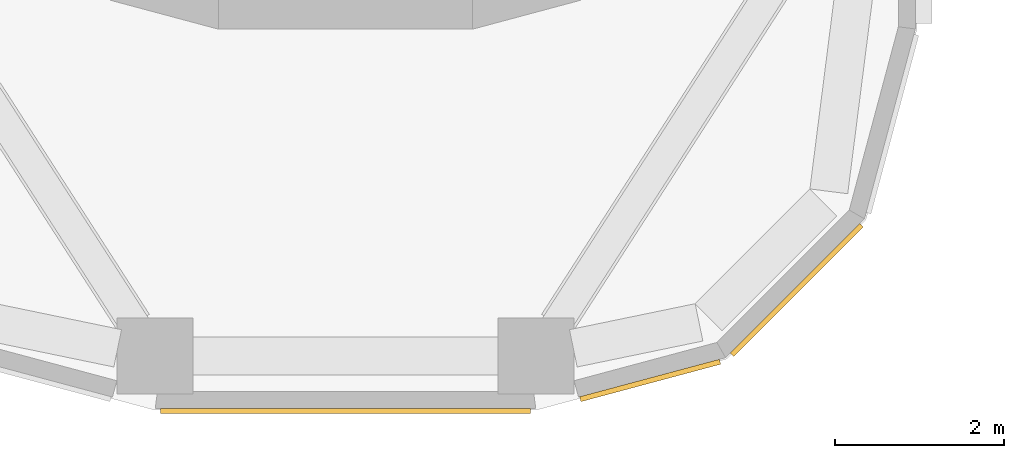
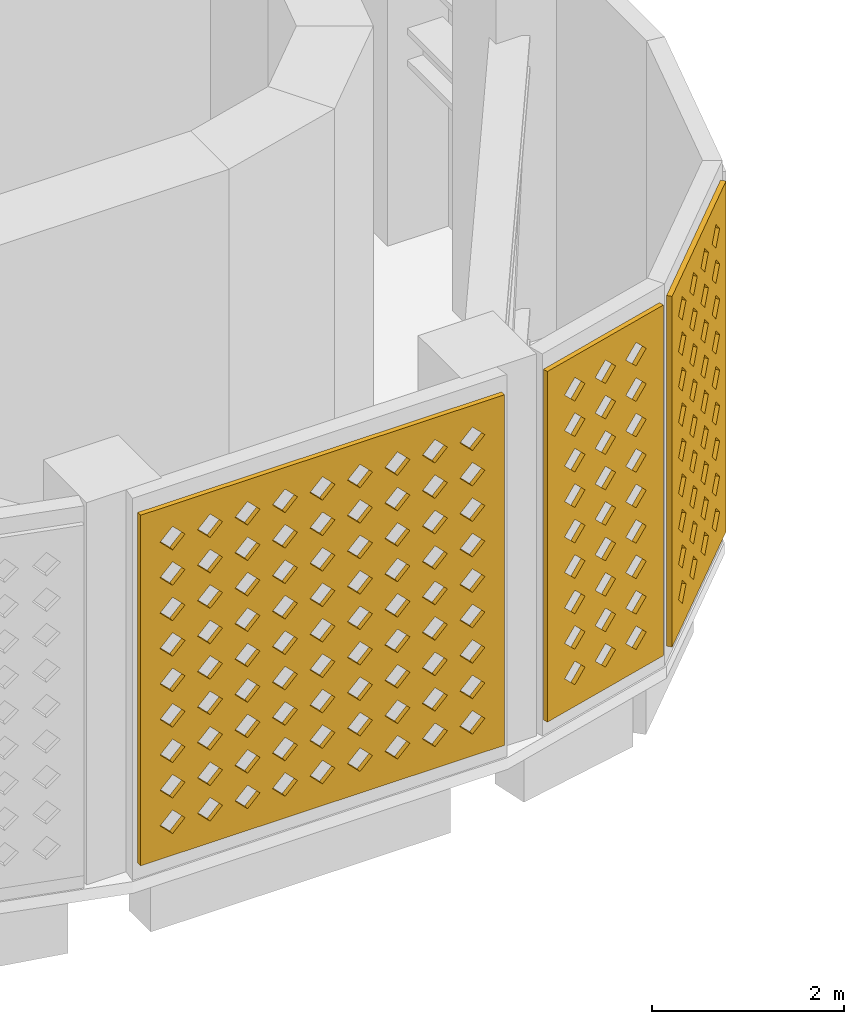
# One storey, part 11 of 20: 3 coverings.
"""IFC4 building model written with IfcOpenShell, lengths in metres."""

from ifc_helpers import new_model, si_unit, direction, frame, origin, place, context, subcontext, project, spatial, polyline, outline, extrude, source, transform, mapped, material, layer, layer_set, type_object, element, save


model = new_model("IFC4")

# Units and contexts
model_context = context("Model", 3, precision=1e-05, world=origin(), true_north=direction((0.0, 1.0)))
body_context = subcontext(model_context, "Body", "Model", "MODEL_VIEW")
ifc_project = project(units=[si_unit("LENGTHUNIT", "METRE"), si_unit("AREAUNIT", "SQUARE_METRE"), si_unit("VOLUMEUNIT", "CUBIC_METRE"), si_unit("PLANEANGLEUNIT", "RADIAN"), si_unit("MASSUNIT", "GRAM", prefix="KILO")], contexts=[model_context])

# Site, building, storey
site_placement = place(None, origin())
site = spatial("IfcSite", under=ifc_project, at=site_placement, CompositionType="ELEMENT")
building_placement = place(site_placement, origin())
building = spatial("IfcBuilding", under=site, at=building_placement, Name="Zarbagh Exchange Tower", CompositionType="ELEMENT")
storey_placement = place(building_placement, frame((0.0, 0.0, 136.0)))
storey = spatial("IfcBuildingStorey", under=building, at=storey_placement, Name="L32", CompositionType="ELEMENT", Elevation=136.0)

# Coverings
ifc_material = material(Name="Glass-fibre reinforced concrete GFRC C50/60", Category="concrete")
ifc_layer = layer(ifc_material, 0.06005859375)
ifc_layer_set = layer_set([ifc_layer], Name="SCREEN jali panel, GFRC")
covering_type = type_object("IfcCoveringType", Name="SCREEN jali panel, GFRC", PredefinedType="CLADDING", material=ifc_layer_set)
shared_shape_1 = source(origin(), body_context, "Body", "SweptSolid", [
    extrude(outline(polyline([(0.0, 0.0), (2.1650390625, 0.0), (2.1650390625, 4.449951171875), (0.0, 4.449951171875), (0.0, 0.0)]), holes=[polyline([(0.257568359375, 0.425048828125), (0.407470703125, 0.27490234375), (0.5576171875, 0.425048828125), (0.407470703125, 0.574951171875), (0.257568359375, 0.425048828125)]), polyline([(0.257568359375, 0.875), (0.407470703125, 0.72509765625), (0.5576171875, 0.875), (0.407470703125, 1.02490234375), (0.257568359375, 0.875)]), polyline([(0.257568359375, 1.324951171875), (0.407470703125, 1.175048828125), (0.5576171875, 1.324951171875), (0.407470703125, 1.47509765625), (0.257568359375, 1.324951171875)]), polyline([(0.257568359375, 1.77490234375), (0.407470703125, 1.625), (0.5576171875, 1.77490234375), (0.407470703125, 1.925048828125), (0.257568359375, 1.77490234375)]), polyline([(0.257568359375, 2.22509765625), (0.407470703125, 2.074951171875), (0.5576171875, 2.22509765625), (0.407470703125, 2.375), (0.257568359375, 2.22509765625)]), polyline([(0.257568359375, 2.675048828125), (0.407470703125, 2.52490234375), (0.5576171875, 2.675048828125), (0.407470703125, 2.824951171875), (0.257568359375, 2.675048828125)]), polyline([(0.257568359375, 3.125), (0.407470703125, 2.97509765625), (0.5576171875, 3.125), (0.407470703125, 3.27490234375), (0.257568359375, 3.125)]), polyline([(0.257568359375, 3.574951171875), (0.407470703125, 3.425048828125), (0.5576171875, 3.574951171875), (0.407470703125, 3.72509765625), (0.257568359375, 3.574951171875)]), polyline([(0.257568359375, 4.02490234375), (0.407470703125, 3.875), (0.5576171875, 4.02490234375), (0.407470703125, 4.175048828125), (0.257568359375, 4.02490234375)]), polyline([(0.70751953125, 0.425048828125), (0.857421875, 0.27490234375), (1.007568359375, 0.425048828125), (0.857421875, 0.574951171875), (0.70751953125, 0.425048828125)]), polyline([(0.70751953125, 0.875), (0.857421875, 0.72509765625), (1.007568359375, 0.875), (0.857421875, 1.02490234375), (0.70751953125, 0.875)]), polyline([(0.70751953125, 1.324951171875), (0.857421875, 1.175048828125), (1.007568359375, 1.324951171875), (0.857421875, 1.47509765625), (0.70751953125, 1.324951171875)]), polyline([(0.70751953125, 1.77490234375), (0.857421875, 1.625), (1.007568359375, 1.77490234375), (0.857421875, 1.925048828125), (0.70751953125, 1.77490234375)]), polyline([(0.70751953125, 2.22509765625), (0.857421875, 2.074951171875), (1.007568359375, 2.22509765625), (0.857421875, 2.375), (0.70751953125, 2.22509765625)]), polyline([(0.70751953125, 2.675048828125), (0.857421875, 2.52490234375), (1.007568359375, 2.675048828125), (0.857421875, 2.824951171875), (0.70751953125, 2.675048828125)]), polyline([(0.70751953125, 3.125), (0.857421875, 2.97509765625), (1.007568359375, 3.125), (0.857421875, 3.27490234375), (0.70751953125, 3.125)]), polyline([(0.70751953125, 3.574951171875), (0.857421875, 3.425048828125), (1.007568359375, 3.574951171875), (0.857421875, 3.72509765625), (0.70751953125, 3.574951171875)]), polyline([(0.70751953125, 4.02490234375), (0.857421875, 3.875), (1.007568359375, 4.02490234375), (0.857421875, 4.175048828125), (0.70751953125, 4.02490234375)]), polyline([(1.157470703125, 0.425048828125), (1.3076171875, 0.27490234375), (1.45751953125, 0.425048828125), (1.3076171875, 0.574951171875), (1.157470703125, 0.425048828125)]), polyline([(1.157470703125, 0.875), (1.3076171875, 0.72509765625), (1.45751953125, 0.875), (1.3076171875, 1.02490234375), (1.157470703125, 0.875)]), polyline([(1.157470703125, 1.324951171875), (1.3076171875, 1.175048828125), (1.45751953125, 1.324951171875), (1.3076171875, 1.47509765625), (1.157470703125, 1.324951171875)]), polyline([(1.157470703125, 1.77490234375), (1.3076171875, 1.625), (1.45751953125, 1.77490234375), (1.3076171875, 1.925048828125), (1.157470703125, 1.77490234375)]), polyline([(1.157470703125, 2.22509765625), (1.3076171875, 2.074951171875), (1.45751953125, 2.22509765625), (1.3076171875, 2.375), (1.157470703125, 2.22509765625)]), polyline([(1.157470703125, 2.675048828125), (1.3076171875, 2.52490234375), (1.45751953125, 2.675048828125), (1.3076171875, 2.824951171875), (1.157470703125, 2.675048828125)]), polyline([(1.157470703125, 3.125), (1.3076171875, 2.97509765625), (1.45751953125, 3.125), (1.3076171875, 3.27490234375), (1.157470703125, 3.125)]), polyline([(1.157470703125, 3.574951171875), (1.3076171875, 3.425048828125), (1.45751953125, 3.574951171875), (1.3076171875, 3.72509765625), (1.157470703125, 3.574951171875)]), polyline([(1.157470703125, 4.02490234375), (1.3076171875, 3.875), (1.45751953125, 4.02490234375), (1.3076171875, 4.175048828125), (1.157470703125, 4.02490234375)]), polyline([(1.607421875, 0.425048828125), (1.757568359375, 0.27490234375), (1.907470703125, 0.425048828125), (1.757568359375, 0.574951171875), (1.607421875, 0.425048828125)]), polyline([(1.607421875, 0.875), (1.757568359375, 0.72509765625), (1.907470703125, 0.875), (1.757568359375, 1.02490234375), (1.607421875, 0.875)]), polyline([(1.607421875, 1.324951171875), (1.757568359375, 1.175048828125), (1.907470703125, 1.324951171875), (1.757568359375, 1.47509765625), (1.607421875, 1.324951171875)]), polyline([(1.607421875, 1.77490234375), (1.757568359375, 1.625), (1.907470703125, 1.77490234375), (1.757568359375, 1.925048828125), (1.607421875, 1.77490234375)]), polyline([(1.607421875, 2.22509765625), (1.757568359375, 2.074951171875), (1.907470703125, 2.22509765625), (1.757568359375, 2.375), (1.607421875, 2.22509765625)]), polyline([(1.607421875, 2.675048828125), (1.757568359375, 2.52490234375), (1.907470703125, 2.675048828125), (1.757568359375, 2.824951171875), (1.607421875, 2.675048828125)]), polyline([(1.607421875, 3.125), (1.757568359375, 2.97509765625), (1.907470703125, 3.125), (1.757568359375, 3.27490234375), (1.607421875, 3.125)]), polyline([(1.607421875, 3.574951171875), (1.757568359375, 3.425048828125), (1.907470703125, 3.574951171875), (1.757568359375, 3.72509765625), (1.607421875, 3.574951171875)]), polyline([(1.607421875, 4.02490234375), (1.757568359375, 3.875), (1.907470703125, 4.02490234375), (1.757568359375, 4.175048828125), (1.607421875, 4.02490234375)])]), origin(), (0.0, 0.0, 1.0), 0.06005859375),
])
placement = place(storey_placement, origin())
element("IfcCovering", 1, at=placement, inside=storey, type_object=covering_type, Name="JS02 jali screen", PredefinedType="CLADDING", context=body_context, shape_type="MappedRepresentation", body=[
    mapped(shared_shape_1, transform((4.5439453125, -33.074951171875, 0.199951171875), x_axis=(0.707106781187, 0.707106781187, 0.0), y_axis=(0.0, 0.0, 1.0), z_axis=(0.707106781187, -0.707106781187, 0.0))),
])
shared_shape_2 = source(origin(), body_context, "Body", "SweptSolid", [
    extrude(outline(polyline([(0.0, 0.0), (1.707763671875, 0.0), (1.707763671875, 4.449951171875), (0.0, 4.449951171875), (0.0, 0.0)]), holes=[polyline([(0.25390625, 0.425048828125), (0.40380859375, 0.27490234375), (0.553955078125, 0.425048828125), (0.40380859375, 0.574951171875), (0.25390625, 0.425048828125)]), polyline([(0.25390625, 0.875), (0.40380859375, 0.72509765625), (0.553955078125, 0.875), (0.40380859375, 1.02490234375), (0.25390625, 0.875)]), polyline([(0.25390625, 1.324951171875), (0.40380859375, 1.175048828125), (0.553955078125, 1.324951171875), (0.40380859375, 1.47509765625), (0.25390625, 1.324951171875)]), polyline([(0.25390625, 1.77490234375), (0.40380859375, 1.625), (0.553955078125, 1.77490234375), (0.40380859375, 1.925048828125), (0.25390625, 1.77490234375)]), polyline([(0.25390625, 2.22509765625), (0.40380859375, 2.074951171875), (0.553955078125, 2.22509765625), (0.40380859375, 2.375), (0.25390625, 2.22509765625)]), polyline([(0.25390625, 2.675048828125), (0.40380859375, 2.52490234375), (0.553955078125, 2.675048828125), (0.40380859375, 2.824951171875), (0.25390625, 2.675048828125)]), polyline([(0.25390625, 3.125), (0.40380859375, 2.97509765625), (0.553955078125, 3.125), (0.40380859375, 3.27490234375), (0.25390625, 3.125)]), polyline([(0.25390625, 3.574951171875), (0.40380859375, 3.425048828125), (0.553955078125, 3.574951171875), (0.40380859375, 3.72509765625), (0.25390625, 3.574951171875)]), polyline([(0.25390625, 4.02490234375), (0.40380859375, 3.875), (0.553955078125, 4.02490234375), (0.40380859375, 4.175048828125), (0.25390625, 4.02490234375)]), polyline([(0.703857421875, 0.425048828125), (0.85400390625, 0.27490234375), (1.00390625, 0.425048828125), (0.85400390625, 0.574951171875), (0.703857421875, 0.425048828125)]), polyline([(0.703857421875, 0.875), (0.85400390625, 0.72509765625), (1.00390625, 0.875), (0.85400390625, 1.02490234375), (0.703857421875, 0.875)]), polyline([(0.703857421875, 1.324951171875), (0.85400390625, 1.175048828125), (1.00390625, 1.324951171875), (0.85400390625, 1.47509765625), (0.703857421875, 1.324951171875)]), polyline([(0.703857421875, 1.77490234375), (0.85400390625, 1.625), (1.00390625, 1.77490234375), (0.85400390625, 1.925048828125), (0.703857421875, 1.77490234375)]), polyline([(0.703857421875, 2.22509765625), (0.85400390625, 2.074951171875), (1.00390625, 2.22509765625), (0.85400390625, 2.375), (0.703857421875, 2.22509765625)]), polyline([(0.703857421875, 2.675048828125), (0.85400390625, 2.52490234375), (1.00390625, 2.675048828125), (0.85400390625, 2.824951171875), (0.703857421875, 2.675048828125)]), polyline([(0.703857421875, 3.125), (0.85400390625, 2.97509765625), (1.00390625, 3.125), (0.85400390625, 3.27490234375), (0.703857421875, 3.125)]), polyline([(0.703857421875, 3.574951171875), (0.85400390625, 3.425048828125), (1.00390625, 3.574951171875), (0.85400390625, 3.72509765625), (0.703857421875, 3.574951171875)]), polyline([(0.703857421875, 4.02490234375), (0.85400390625, 3.875), (1.00390625, 4.02490234375), (0.85400390625, 4.175048828125), (0.703857421875, 4.02490234375)]), polyline([(1.15380859375, 0.425048828125), (1.303955078125, 0.27490234375), (1.453857421875, 0.425048828125), (1.303955078125, 0.574951171875), (1.15380859375, 0.425048828125)]), polyline([(1.15380859375, 0.875), (1.303955078125, 0.72509765625), (1.453857421875, 0.875), (1.303955078125, 1.02490234375), (1.15380859375, 0.875)]), polyline([(1.15380859375, 1.324951171875), (1.303955078125, 1.175048828125), (1.453857421875, 1.324951171875), (1.303955078125, 1.47509765625), (1.15380859375, 1.324951171875)]), polyline([(1.15380859375, 1.77490234375), (1.303955078125, 1.625), (1.453857421875, 1.77490234375), (1.303955078125, 1.925048828125), (1.15380859375, 1.77490234375)]), polyline([(1.15380859375, 2.22509765625), (1.303955078125, 2.074951171875), (1.453857421875, 2.22509765625), (1.303955078125, 2.375), (1.15380859375, 2.22509765625)]), polyline([(1.15380859375, 2.675048828125), (1.303955078125, 2.52490234375), (1.453857421875, 2.675048828125), (1.303955078125, 2.824951171875), (1.15380859375, 2.675048828125)]), polyline([(1.15380859375, 3.125), (1.303955078125, 2.97509765625), (1.453857421875, 3.125), (1.303955078125, 3.27490234375), (1.15380859375, 3.125)]), polyline([(1.15380859375, 3.574951171875), (1.303955078125, 3.425048828125), (1.453857421875, 3.574951171875), (1.303955078125, 3.72509765625), (1.15380859375, 3.574951171875)]), polyline([(1.15380859375, 4.02490234375), (1.303955078125, 3.875), (1.453857421875, 4.02490234375), (1.303955078125, 4.175048828125), (1.15380859375, 4.02490234375)])]), origin(), (0.0, 0.0, 1.0), 0.06005859375),
])
element("IfcCovering", 2, at=placement, inside=storey, type_object=covering_type, Name="JS01 jali screen", PredefinedType="CLADDING", context=body_context, shape_type="MappedRepresentation", body=[
    mapped(shared_shape_2, transform((2.765869140625, -33.591064453125, 0.199951171875), x_axis=(0.965924215207, 0.258825057666, 0.0), y_axis=(0.0, 0.0, 1.0), z_axis=(0.258825057666, -0.965924215207, 0.0))),
])
shared_shape_3 = source(origin(), body_context, "Body", "SweptSolid", [
    extrude(outline(polyline([(0.0, 0.0), (4.368408203125, 0.0), (4.368408203125, 4.449951171875), (0.0, 4.449951171875), (0.0, 0.0)]), holes=[polyline([(0.234130859375, 0.425048828125), (0.38427734375, 0.27490234375), (0.5341796875, 0.425048828125), (0.38427734375, 0.574951171875), (0.234130859375, 0.425048828125)]), polyline([(0.234130859375, 0.875), (0.38427734375, 0.72509765625), (0.5341796875, 0.875), (0.38427734375, 1.02490234375), (0.234130859375, 0.875)]), polyline([(0.234130859375, 1.324951171875), (0.38427734375, 1.175048828125), (0.5341796875, 1.324951171875), (0.38427734375, 1.47509765625), (0.234130859375, 1.324951171875)]), polyline([(0.234130859375, 1.77490234375), (0.38427734375, 1.625), (0.5341796875, 1.77490234375), (0.38427734375, 1.925048828125), (0.234130859375, 1.77490234375)]), polyline([(0.234130859375, 2.22509765625), (0.38427734375, 2.074951171875), (0.5341796875, 2.22509765625), (0.38427734375, 2.375), (0.234130859375, 2.22509765625)]), polyline([(0.234130859375, 2.675048828125), (0.38427734375, 2.52490234375), (0.5341796875, 2.675048828125), (0.38427734375, 2.824951171875), (0.234130859375, 2.675048828125)]), polyline([(0.234130859375, 3.125), (0.38427734375, 2.97509765625), (0.5341796875, 3.125), (0.38427734375, 3.27490234375), (0.234130859375, 3.125)]), polyline([(0.234130859375, 3.574951171875), (0.38427734375, 3.425048828125), (0.5341796875, 3.574951171875), (0.38427734375, 3.72509765625), (0.234130859375, 3.574951171875)]), polyline([(0.234130859375, 4.02490234375), (0.38427734375, 3.875), (0.5341796875, 4.02490234375), (0.38427734375, 4.175048828125), (0.234130859375, 4.02490234375)]), polyline([(0.68408203125, 0.425048828125), (0.834228515625, 0.27490234375), (0.984130859375, 0.425048828125), (0.834228515625, 0.574951171875), (0.68408203125, 0.425048828125)]), polyline([(0.68408203125, 0.875), (0.834228515625, 0.72509765625), (0.984130859375, 0.875), (0.834228515625, 1.02490234375), (0.68408203125, 0.875)]), polyline([(0.68408203125, 1.324951171875), (0.834228515625, 1.175048828125), (0.984130859375, 1.324951171875), (0.834228515625, 1.47509765625), (0.68408203125, 1.324951171875)]), polyline([(0.68408203125, 1.77490234375), (0.834228515625, 1.625), (0.984130859375, 1.77490234375), (0.834228515625, 1.925048828125), (0.68408203125, 1.77490234375)]), polyline([(0.68408203125, 2.22509765625), (0.834228515625, 2.074951171875), (0.984130859375, 2.22509765625), (0.834228515625, 2.375), (0.68408203125, 2.22509765625)]), polyline([(0.68408203125, 2.675048828125), (0.834228515625, 2.52490234375), (0.984130859375, 2.675048828125), (0.834228515625, 2.824951171875), (0.68408203125, 2.675048828125)]), polyline([(0.68408203125, 3.125), (0.834228515625, 2.97509765625), (0.984130859375, 3.125), (0.834228515625, 3.27490234375), (0.68408203125, 3.125)]), polyline([(0.68408203125, 3.574951171875), (0.834228515625, 3.425048828125), (0.984130859375, 3.574951171875), (0.834228515625, 3.72509765625), (0.68408203125, 3.574951171875)]), polyline([(0.68408203125, 4.02490234375), (0.834228515625, 3.875), (0.984130859375, 4.02490234375), (0.834228515625, 4.175048828125), (0.68408203125, 4.02490234375)]), polyline([(1.13427734375, 0.425048828125), (1.2841796875, 0.27490234375), (1.43408203125, 0.425048828125), (1.2841796875, 0.574951171875), (1.13427734375, 0.425048828125)]), polyline([(1.13427734375, 0.875), (1.2841796875, 0.72509765625), (1.43408203125, 0.875), (1.2841796875, 1.02490234375), (1.13427734375, 0.875)]), polyline([(1.13427734375, 1.324951171875), (1.2841796875, 1.175048828125), (1.43408203125, 1.324951171875), (1.2841796875, 1.47509765625), (1.13427734375, 1.324951171875)]), polyline([(1.13427734375, 1.77490234375), (1.2841796875, 1.625), (1.43408203125, 1.77490234375), (1.2841796875, 1.925048828125), (1.13427734375, 1.77490234375)]), polyline([(1.13427734375, 2.22509765625), (1.2841796875, 2.074951171875), (1.43408203125, 2.22509765625), (1.2841796875, 2.375), (1.13427734375, 2.22509765625)]), polyline([(1.13427734375, 2.675048828125), (1.2841796875, 2.52490234375), (1.43408203125, 2.675048828125), (1.2841796875, 2.824951171875), (1.13427734375, 2.675048828125)]), polyline([(1.13427734375, 3.125), (1.2841796875, 2.97509765625), (1.43408203125, 3.125), (1.2841796875, 3.27490234375), (1.13427734375, 3.125)]), polyline([(1.13427734375, 3.574951171875), (1.2841796875, 3.425048828125), (1.43408203125, 3.574951171875), (1.2841796875, 3.72509765625), (1.13427734375, 3.574951171875)]), polyline([(1.13427734375, 4.02490234375), (1.2841796875, 3.875), (1.43408203125, 4.02490234375), (1.2841796875, 4.175048828125), (1.13427734375, 4.02490234375)]), polyline([(1.584228515625, 0.425048828125), (1.734130859375, 0.27490234375), (1.88427734375, 0.425048828125), (1.734130859375, 0.574951171875), (1.584228515625, 0.425048828125)]), polyline([(1.584228515625, 0.875), (1.734130859375, 0.72509765625), (1.88427734375, 0.875), (1.734130859375, 1.02490234375), (1.584228515625, 0.875)]), polyline([(1.584228515625, 1.324951171875), (1.734130859375, 1.175048828125), (1.88427734375, 1.324951171875), (1.734130859375, 1.47509765625), (1.584228515625, 1.324951171875)]), polyline([(1.584228515625, 1.77490234375), (1.734130859375, 1.625), (1.88427734375, 1.77490234375), (1.734130859375, 1.925048828125), (1.584228515625, 1.77490234375)]), polyline([(1.584228515625, 2.22509765625), (1.734130859375, 2.074951171875), (1.88427734375, 2.22509765625), (1.734130859375, 2.375), (1.584228515625, 2.22509765625)]), polyline([(1.584228515625, 2.675048828125), (1.734130859375, 2.52490234375), (1.88427734375, 2.675048828125), (1.734130859375, 2.824951171875), (1.584228515625, 2.675048828125)]), polyline([(1.584228515625, 3.125), (1.734130859375, 2.97509765625), (1.88427734375, 3.125), (1.734130859375, 3.27490234375), (1.584228515625, 3.125)]), polyline([(1.584228515625, 3.574951171875), (1.734130859375, 3.425048828125), (1.88427734375, 3.574951171875), (1.734130859375, 3.72509765625), (1.584228515625, 3.574951171875)]), polyline([(1.584228515625, 4.02490234375), (1.734130859375, 3.875), (1.88427734375, 4.02490234375), (1.734130859375, 4.175048828125), (1.584228515625, 4.02490234375)]), polyline([(2.0341796875, 0.425048828125), (2.18408203125, 0.27490234375), (2.334228515625, 0.425048828125), (2.18408203125, 0.574951171875), (2.0341796875, 0.425048828125)]), polyline([(2.0341796875, 0.875), (2.18408203125, 0.72509765625), (2.334228515625, 0.875), (2.18408203125, 1.02490234375), (2.0341796875, 0.875)]), polyline([(2.0341796875, 1.324951171875), (2.18408203125, 1.175048828125), (2.334228515625, 1.324951171875), (2.18408203125, 1.47509765625), (2.0341796875, 1.324951171875)]), polyline([(2.0341796875, 1.77490234375), (2.18408203125, 1.625), (2.334228515625, 1.77490234375), (2.18408203125, 1.925048828125), (2.0341796875, 1.77490234375)]), polyline([(2.0341796875, 2.22509765625), (2.18408203125, 2.074951171875), (2.334228515625, 2.22509765625), (2.18408203125, 2.375), (2.0341796875, 2.22509765625)]), polyline([(2.0341796875, 2.675048828125), (2.18408203125, 2.52490234375), (2.334228515625, 2.675048828125), (2.18408203125, 2.824951171875), (2.0341796875, 2.675048828125)]), polyline([(2.0341796875, 3.125), (2.18408203125, 2.97509765625), (2.334228515625, 3.125), (2.18408203125, 3.27490234375), (2.0341796875, 3.125)]), polyline([(2.0341796875, 3.574951171875), (2.18408203125, 3.425048828125), (2.334228515625, 3.574951171875), (2.18408203125, 3.72509765625), (2.0341796875, 3.574951171875)]), polyline([(2.0341796875, 4.02490234375), (2.18408203125, 3.875), (2.334228515625, 4.02490234375), (2.18408203125, 4.175048828125), (2.0341796875, 4.02490234375)]), polyline([(2.484130859375, 0.425048828125), (2.63427734375, 0.27490234375), (2.7841796875, 0.425048828125), (2.63427734375, 0.574951171875), (2.484130859375, 0.425048828125)]), polyline([(2.484130859375, 0.875), (2.63427734375, 0.72509765625), (2.7841796875, 0.875), (2.63427734375, 1.02490234375), (2.484130859375, 0.875)]), polyline([(2.484130859375, 1.324951171875), (2.63427734375, 1.175048828125), (2.7841796875, 1.324951171875), (2.63427734375, 1.47509765625), (2.484130859375, 1.324951171875)]), polyline([(2.484130859375, 1.77490234375), (2.63427734375, 1.625), (2.7841796875, 1.77490234375), (2.63427734375, 1.925048828125), (2.484130859375, 1.77490234375)]), polyline([(2.484130859375, 2.22509765625), (2.63427734375, 2.074951171875), (2.7841796875, 2.22509765625), (2.63427734375, 2.375), (2.484130859375, 2.22509765625)]), polyline([(2.484130859375, 2.675048828125), (2.63427734375, 2.52490234375), (2.7841796875, 2.675048828125), (2.63427734375, 2.824951171875), (2.484130859375, 2.675048828125)]), polyline([(2.484130859375, 3.125), (2.63427734375, 2.97509765625), (2.7841796875, 3.125), (2.63427734375, 3.27490234375), (2.484130859375, 3.125)]), polyline([(2.484130859375, 3.574951171875), (2.63427734375, 3.425048828125), (2.7841796875, 3.574951171875), (2.63427734375, 3.72509765625), (2.484130859375, 3.574951171875)]), polyline([(2.484130859375, 4.02490234375), (2.63427734375, 3.875), (2.7841796875, 4.02490234375), (2.63427734375, 4.175048828125), (2.484130859375, 4.02490234375)]), polyline([(2.93408203125, 0.425048828125), (3.084228515625, 0.27490234375), (3.234130859375, 0.425048828125), (3.084228515625, 0.574951171875), (2.93408203125, 0.425048828125)]), polyline([(2.93408203125, 0.875), (3.084228515625, 0.72509765625), (3.234130859375, 0.875), (3.084228515625, 1.02490234375), (2.93408203125, 0.875)]), polyline([(2.93408203125, 1.324951171875), (3.084228515625, 1.175048828125), (3.234130859375, 1.324951171875), (3.084228515625, 1.47509765625), (2.93408203125, 1.324951171875)]), polyline([(2.93408203125, 1.77490234375), (3.084228515625, 1.625), (3.234130859375, 1.77490234375), (3.084228515625, 1.925048828125), (2.93408203125, 1.77490234375)]), polyline([(2.93408203125, 2.22509765625), (3.084228515625, 2.074951171875), (3.234130859375, 2.22509765625), (3.084228515625, 2.375), (2.93408203125, 2.22509765625)]), polyline([(2.93408203125, 2.675048828125), (3.084228515625, 2.52490234375), (3.234130859375, 2.675048828125), (3.084228515625, 2.824951171875), (2.93408203125, 2.675048828125)]), polyline([(2.93408203125, 3.125), (3.084228515625, 2.97509765625), (3.234130859375, 3.125), (3.084228515625, 3.27490234375), (2.93408203125, 3.125)]), polyline([(2.93408203125, 3.574951171875), (3.084228515625, 3.425048828125), (3.234130859375, 3.574951171875), (3.084228515625, 3.72509765625), (2.93408203125, 3.574951171875)]), polyline([(2.93408203125, 4.02490234375), (3.084228515625, 3.875), (3.234130859375, 4.02490234375), (3.084228515625, 4.175048828125), (2.93408203125, 4.02490234375)]), polyline([(3.38427734375, 0.425048828125), (3.5341796875, 0.27490234375), (3.68408203125, 0.425048828125), (3.5341796875, 0.574951171875), (3.38427734375, 0.425048828125)]), polyline([(3.38427734375, 0.875), (3.5341796875, 0.72509765625), (3.68408203125, 0.875), (3.5341796875, 1.02490234375), (3.38427734375, 0.875)]), polyline([(3.38427734375, 1.324951171875), (3.5341796875, 1.175048828125), (3.68408203125, 1.324951171875), (3.5341796875, 1.47509765625), (3.38427734375, 1.324951171875)]), polyline([(3.38427734375, 1.77490234375), (3.5341796875, 1.625), (3.68408203125, 1.77490234375), (3.5341796875, 1.925048828125), (3.38427734375, 1.77490234375)]), polyline([(3.38427734375, 2.22509765625), (3.5341796875, 2.074951171875), (3.68408203125, 2.22509765625), (3.5341796875, 2.375), (3.38427734375, 2.22509765625)]), polyline([(3.38427734375, 2.675048828125), (3.5341796875, 2.52490234375), (3.68408203125, 2.675048828125), (3.5341796875, 2.824951171875), (3.38427734375, 2.675048828125)]), polyline([(3.38427734375, 3.125), (3.5341796875, 2.97509765625), (3.68408203125, 3.125), (3.5341796875, 3.27490234375), (3.38427734375, 3.125)]), polyline([(3.38427734375, 3.574951171875), (3.5341796875, 3.425048828125), (3.68408203125, 3.574951171875), (3.5341796875, 3.72509765625), (3.38427734375, 3.574951171875)]), polyline([(3.38427734375, 4.02490234375), (3.5341796875, 3.875), (3.68408203125, 4.02490234375), (3.5341796875, 4.175048828125), (3.38427734375, 4.02490234375)]), polyline([(3.834228515625, 0.425048828125), (3.984130859375, 0.27490234375), (4.13427734375, 0.425048828125), (3.984130859375, 0.574951171875), (3.834228515625, 0.425048828125)]), polyline([(3.834228515625, 0.875), (3.984130859375, 0.72509765625), (4.13427734375, 0.875), (3.984130859375, 1.02490234375), (3.834228515625, 0.875)]), polyline([(3.834228515625, 1.324951171875), (3.984130859375, 1.175048828125), (4.13427734375, 1.324951171875), (3.984130859375, 1.47509765625), (3.834228515625, 1.324951171875)]), polyline([(3.834228515625, 1.77490234375), (3.984130859375, 1.625), (4.13427734375, 1.77490234375), (3.984130859375, 1.925048828125), (3.834228515625, 1.77490234375)]), polyline([(3.834228515625, 2.22509765625), (3.984130859375, 2.074951171875), (4.13427734375, 2.22509765625), (3.984130859375, 2.375), (3.834228515625, 2.22509765625)]), polyline([(3.834228515625, 2.675048828125), (3.984130859375, 2.52490234375), (4.13427734375, 2.675048828125), (3.984130859375, 2.824951171875), (3.834228515625, 2.675048828125)]), polyline([(3.834228515625, 3.125), (3.984130859375, 2.97509765625), (4.13427734375, 3.125), (3.984130859375, 3.27490234375), (3.834228515625, 3.125)]), polyline([(3.834228515625, 3.574951171875), (3.984130859375, 3.425048828125), (4.13427734375, 3.574951171875), (3.984130859375, 3.72509765625), (3.834228515625, 3.574951171875)]), polyline([(3.834228515625, 4.02490234375), (3.984130859375, 3.875), (4.13427734375, 4.02490234375), (3.984130859375, 4.175048828125), (3.834228515625, 4.02490234375)])]), origin(), (0.0, 0.0, 1.0), 0.06005859375),
])
element("IfcCovering", 3, at=placement, inside=storey, type_object=covering_type, Name="JS40 jali screen", PredefinedType="CLADDING", context=body_context, shape_type="MappedRepresentation", body=[
    mapped(shared_shape_3, transform((-2.18408203125, -33.72998046875, 0.199951171875), x_axis=(1.0, 0.0, 0.0), y_axis=(0.0, 0.0, 1.0), z_axis=(0.0, -1.0, 0.0))),
])

save(model, "model.ifc")
